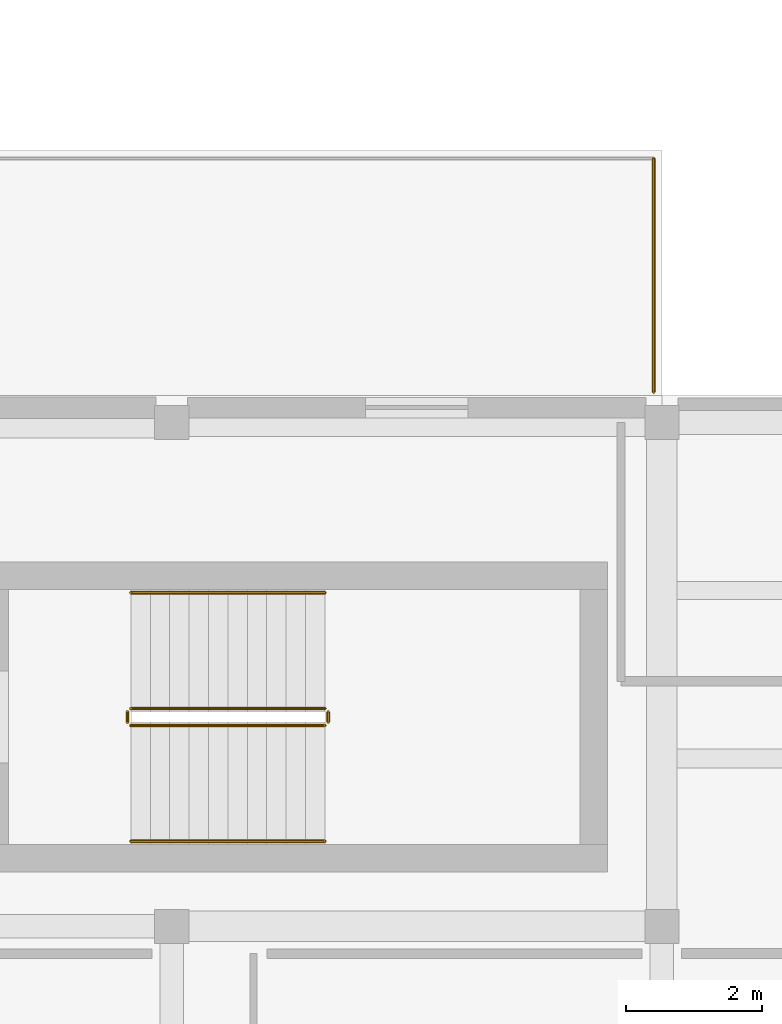
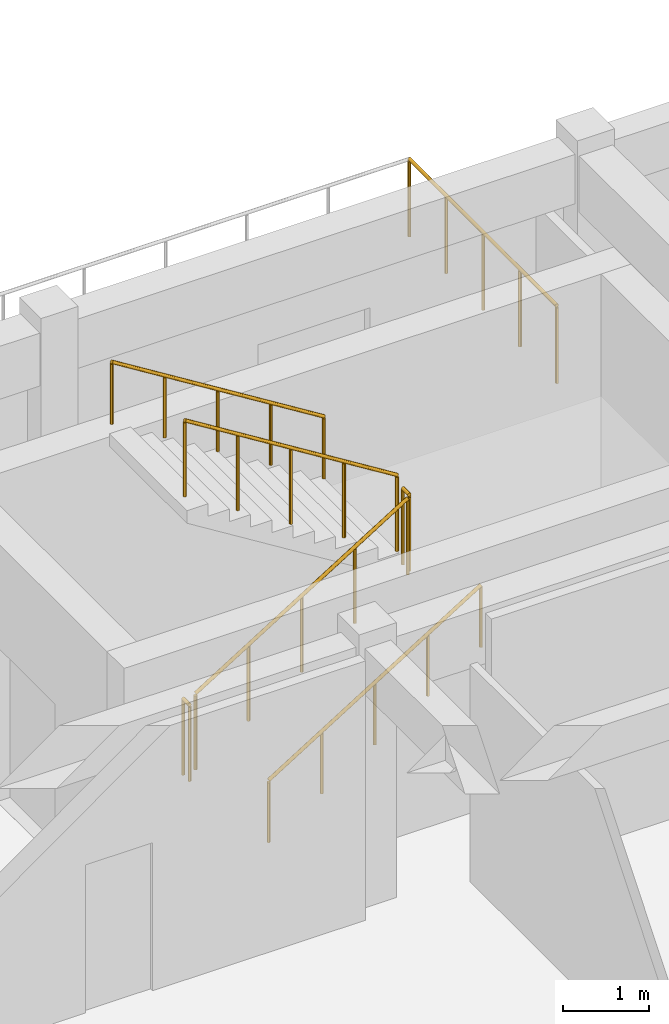
# One storey, part 11 of 11: 7 railings.
"""IFC4 building model written with IfcOpenShell, lengths in metres."""

from ifc_helpers import new_model, si_unit, direction, frame, origin, origin_2d, place, context, subcontext, project, spatial, circle, extrude, material, type_object, element, save


model = new_model("IFC4")

# Units and contexts
model_context = context("Model", 3, precision=1e-05, world=origin(), true_north=direction((0.0, 1.0)))
body_context = subcontext(model_context, "Body", "Model", "MODEL_VIEW")
ifc_project = project(units=[si_unit("LENGTHUNIT", "METRE"), si_unit("AREAUNIT", "SQUARE_METRE"), si_unit("VOLUMEUNIT", "CUBIC_METRE"), si_unit("PLANEANGLEUNIT", "RADIAN"), si_unit("MASSUNIT", "GRAM", prefix="KILO")], contexts=[model_context])

# Site, building, storey
site_placement = place(None, origin())
site = spatial("IfcSite", under=ifc_project, at=site_placement, CompositionType="ELEMENT")
building_placement = place(site_placement, origin())
building = spatial("IfcBuilding", under=site, at=building_placement, Name="Brisavento Harbour Community Centre", CompositionType="ELEMENT")
storey_placement = place(building_placement, frame((0.0, 0.0, 16.800048828125)))
storey = spatial("IfcBuildingStorey", under=building, at=storey_placement, Name="L04", CompositionType="ELEMENT", Elevation=16.800048828125)

# Railings
ifc_material = material(Name="Stainless steel 1.4401", Category="steel")
railing_type_1 = type_object("IfcRailingType", Name="RL-ST-GUARD", PredefinedType="GUARDRAIL", material=ifc_material)
railing_1_placement = place(storey_placement, frame((157.800048828125, 17.949951171875, 0.17724609375)))
element("IfcRailing", 1, at=railing_1_placement, inside=storey, type_object=railing_type_1, Name="L04 ST-05 stair guard 1", PredefinedType="GUARDRAIL", context=body_context, shape_type="SweptSolid", body=[
    extrude(circle(Radius=0.02392578125, at=origin_2d()), frame((0.0, 0.0, 1.076171875), z_axis=(0.849128380713, 0.0, 0.528186513523), x_axis=(0.0, 1.0, 0.0)), (0.0, 0.0, 1.0), 3.356201171875),
    extrude(circle(Radius=0.02099609375, at=origin_2d()), origin(), (0.0, 0.0, 1.0), 1.052001953125),
    extrude(circle(Radius=0.02099609375, at=origin_2d()), frame((0.71240234375, 0.0, 0.443115234375)), (0.0, 0.0, 1.0), 1.052001953125),
    extrude(circle(Radius=0.02099609375, at=origin_2d()), frame((1.4248046875, 0.0, 0.88623046875)), (0.0, 0.0, 1.0), 1.052001953125),
    extrude(circle(Radius=0.02099609375, at=origin_2d()), frame((2.137451171875, 0.0, 1.32958984375)), (0.0, 0.0, 1.0), 1.052001953125),
    extrude(circle(Radius=0.02099609375, at=origin_2d()), frame((2.849853515625, 0.0, 1.772705078125)), (0.0, 0.0, 1.0), 1.052001953125),
])
railing_2_placement = place(storey_placement, frame((160.699951171875, 18.0, 1.949951171875)))
element("IfcRailing", 2, at=railing_2_placement, inside=storey, type_object=railing_type_1, Name="L04 ST-05 stair guard 2", PredefinedType="GUARDRAIL", context=body_context, shape_type="SweptSolid", body=[
    extrude(circle(Radius=0.02392578125, at=origin_2d()), frame((0.0, 0.0, 1.076171875), z_axis=(0.0, 1.0, 0.0), x_axis=(-1.0, 0.0, 0.0)), (0.0, 0.0, 1.0), 0.14990234375),
    extrude(circle(Radius=0.02099609375, at=origin_2d()), origin(), (0.0, 0.0, 1.0), 1.052001953125),
    extrude(circle(Radius=0.02099609375, at=origin_2d()), frame((0.0, 0.14990234375, 0.0)), (0.0, 0.0, 1.0), 1.052001953125),
])
railing_3_placement = place(storey_placement, frame((160.64990234375, 18.199951171875, 2.127197265625)))
element("IfcRailing", 3, at=railing_3_placement, inside=storey, type_object=railing_type_1, Name="L04 ST-05 stair guard 3", PredefinedType="GUARDRAIL", context=body_context, shape_type="SweptSolid", body=[
    extrude(circle(Radius=0.02392578125, at=origin_2d()), frame((0.0, 0.0, 1.076171875), z_axis=(-0.849128380713, 0.0, 0.528186513523), x_axis=(0.0, -1.0, 0.0)), (0.0, 0.0, 1.0), 3.356201171875),
    extrude(circle(Radius=0.02099609375, at=origin_2d()), origin(), (0.0, 0.0, 1.0), 1.052001953125),
    extrude(circle(Radius=0.02099609375, at=origin_2d()), frame((-0.71240234375, 0.0, 0.443115234375)), (0.0, 0.0, 1.0), 1.052001953125),
    extrude(circle(Radius=0.02099609375, at=origin_2d()), frame((-1.4248046875, 0.0, 0.88623046875)), (0.0, 0.0, 1.0), 1.052001953125),
    extrude(circle(Radius=0.02099609375, at=origin_2d()), frame((-2.137451171875, 0.0, 1.32958984375)), (0.0, 0.0, 1.0), 1.052001953125),
    extrude(circle(Radius=0.02099609375, at=origin_2d()), frame((-2.849853515625, 0.0, 1.772705078125)), (0.0, 0.0, 1.0), 1.052001953125),
])
railing_4_placement = place(storey_placement, frame((157.75, 18.0, 0.0)))
element("IfcRailing", 4, at=railing_4_placement, inside=storey, type_object=railing_type_1, Name="L04 ST-05 stair guard 4", PredefinedType="GUARDRAIL", context=body_context, shape_type="SweptSolid", body=[
    extrude(circle(Radius=0.02392578125, at=origin_2d()), frame((0.0, 0.0, 1.076171875), z_axis=(0.0, 1.0, 0.0), x_axis=(-1.0, 0.0, 0.0)), (0.0, 0.0, 1.0), 0.14990234375),
    extrude(circle(Radius=0.02099609375, at=origin_2d()), origin(), (0.0, 0.0, 1.0), 1.052001953125),
    extrude(circle(Radius=0.02099609375, at=origin_2d()), frame((0.0, 0.14990234375, 0.0)), (0.0, 0.0, 1.0), 1.052001953125),
])
railing_type_2 = type_object("IfcRailingType", Name="RL-ST-HAND", PredefinedType="HANDRAIL", material=ifc_material)
railing_5_placement = place(storey_placement, frame((157.800048828125, 16.25, 0.17724609375)))
element("IfcRailing", 5, at=railing_5_placement, inside=storey, type_object=railing_type_2, Name="L04 ST-05 stair handrail 1", PredefinedType="HANDRAIL", context=body_context, shape_type="SweptSolid", body=[
    extrude(circle(Radius=0.02392578125, at=origin_2d()), frame((0.0, 0.0, 0.8759765625), z_axis=(0.849128380713, 0.0, 0.528186513523), x_axis=(0.0, 1.0, 0.0)), (0.0, 0.0, 1.0), 3.356201171875),
    extrude(circle(Radius=0.02099609375, at=origin_2d()), origin(), (0.0, 0.0, 1.0), 0.851806640625),
    extrude(circle(Radius=0.02099609375, at=origin_2d()), frame((0.71240234375, 0.0, 0.443115234375)), (0.0, 0.0, 1.0), 0.851806640625),
    extrude(circle(Radius=0.02099609375, at=origin_2d()), frame((1.4248046875, 0.0, 0.88623046875)), (0.0, 0.0, 1.0), 0.851806640625),
    extrude(circle(Radius=0.02099609375, at=origin_2d()), frame((2.137451171875, 0.0, 1.32958984375)), (0.0, 0.0, 1.0), 0.851806640625),
    extrude(circle(Radius=0.02099609375, at=origin_2d()), frame((2.849853515625, 0.0, 1.772705078125)), (0.0, 0.0, 1.0), 0.851806640625),
])
railing_6_placement = place(storey_placement, frame((160.64990234375, 19.89990234375, 2.127197265625)))
element("IfcRailing", 6, at=railing_6_placement, inside=storey, type_object=railing_type_2, Name="L04 ST-05 stair handrail 2", PredefinedType="HANDRAIL", context=body_context, shape_type="SweptSolid", body=[
    extrude(circle(Radius=0.02392578125, at=origin_2d()), frame((0.0, 0.0, 0.8759765625), z_axis=(-0.849128380713, 0.0, 0.528186513523), x_axis=(0.0, -1.0, 0.0)), (0.0, 0.0, 1.0), 3.356201171875),
    extrude(circle(Radius=0.02099609375, at=origin_2d()), origin(), (0.0, 0.0, 1.0), 0.851806640625),
    extrude(circle(Radius=0.02099609375, at=origin_2d()), frame((-0.71240234375, 0.0, 0.443115234375)), (0.0, 0.0, 1.0), 0.851806640625),
    extrude(circle(Radius=0.02099609375, at=origin_2d()), frame((-1.4248046875, 0.0, 0.88623046875)), (0.0, 0.0, 1.0), 0.851806640625),
    extrude(circle(Radius=0.02099609375, at=origin_2d()), frame((-2.137451171875, 0.0, 1.32958984375)), (0.0, 0.0, 1.0), 0.851806640625),
    extrude(circle(Radius=0.02099609375, at=origin_2d()), frame((-2.849853515625, 0.0, 1.772705078125)), (0.0, 0.0, 1.0), 0.851806640625),
])
railing_type_3 = type_object("IfcRailingType", Name="RL-TER-GUARD", PredefinedType="GUARDRAIL", material=ifc_material)
railing_7_placement = place(storey_placement, frame((165.47998046875, 26.280029296875, 0.0)))
element("IfcRailing", 7, at=railing_7_placement, inside=storey, type_object=railing_type_3, Name="L04 Courtyard Reading Terrace east guard", PredefinedType="GUARDRAIL", context=body_context, shape_type="SweptSolid", body=[
    extrude(circle(Radius=0.02392578125, at=origin_2d()), frame((0.0, 0.0, 1.09619140625), z_axis=(0.0, -1.0, 0.0), x_axis=(1.0, 0.0, 0.0)), (0.0, 0.0, 1.0), 3.429931640625),
    extrude(circle(Radius=0.02099609375, at=origin_2d()), origin(), (0.0, 0.0, 1.0), 1.072021484375),
    extrude(circle(Radius=0.02099609375, at=origin_2d()), frame((0.0, -0.857421875, 0.0)), (0.0, 0.0, 1.0), 1.072021484375),
    extrude(circle(Radius=0.02099609375, at=origin_2d()), frame((0.0, -1.71484375, 0.0)), (0.0, 0.0, 1.0), 1.072021484375),
    extrude(circle(Radius=0.02099609375, at=origin_2d()), frame((0.0, -2.572509765625, 0.0)), (0.0, 0.0, 1.0), 1.072021484375),
    extrude(circle(Radius=0.02099609375, at=origin_2d()), frame((0.0, -3.429931640625, 0.0)), (0.0, 0.0, 1.0), 1.072021484375),
])

save(model, "model.ifc")
